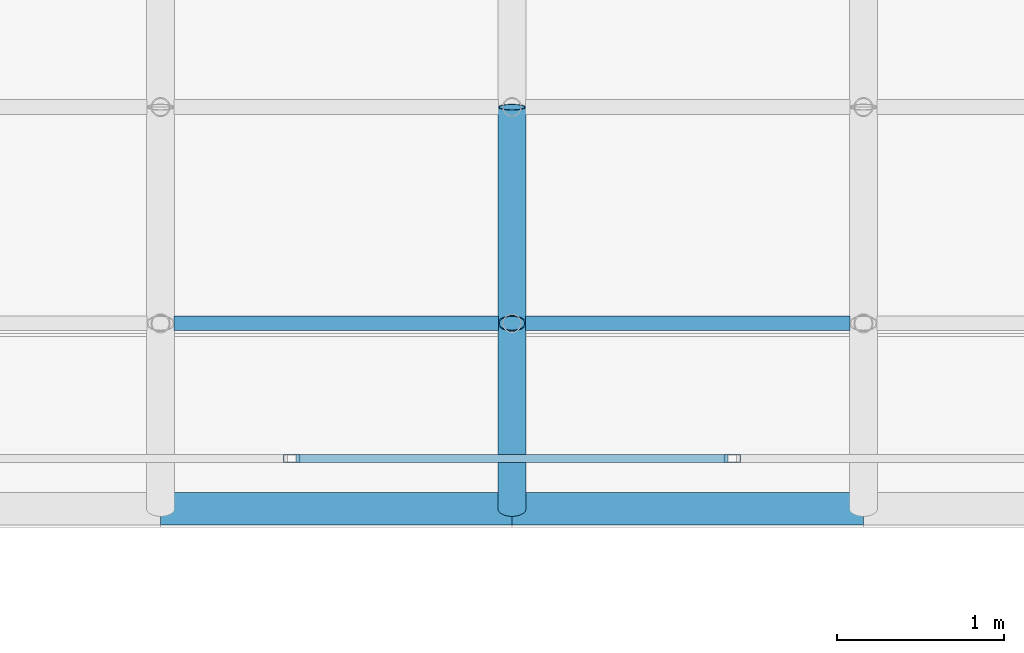
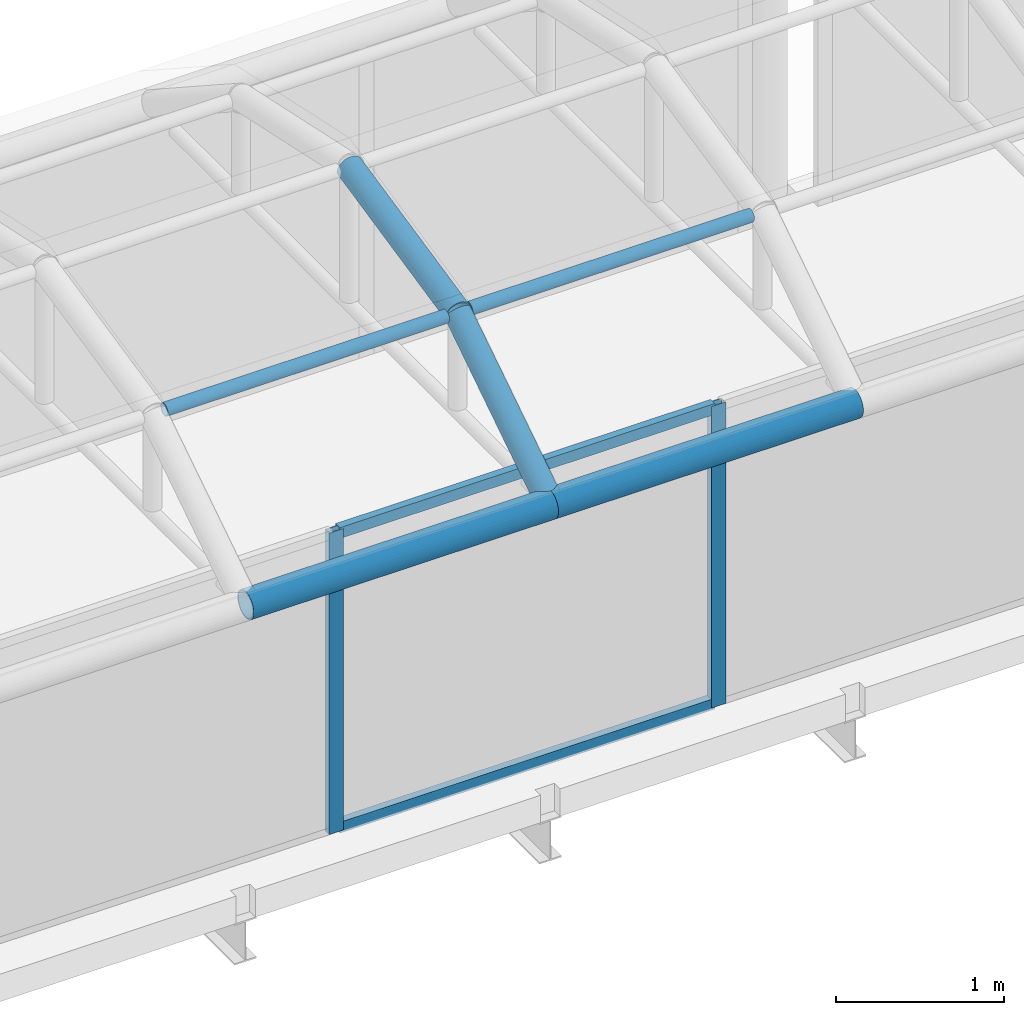
# One storey, part 93 of 167: 10 members, 1 element without a shape of its own.
"""IFC4 building model written with IfcOpenShell, lengths in metres."""

import ifcopenshell
import ifcopenshell.guid

model = None  # the IFC model being written
_history = None  # IfcOwnerHistory: only IFC2X3 demands one
_inside = {}  # id of a spatial element -> (the spatial element, [elements in it])
_under = {}  # id of a project, library or spatial element -> (it, [spatial elements below it])
_declared = {}  # id of a project -> (the project, [libraries it declares])
_typed = {}  # id of a type object -> (the type object, [elements of that type])
_made_of = {}  # id of a material, layer set ... -> (it, [elements and type objects made of it])


def new_model(schema):
    """Start an empty IFC model of exactly this schema.

    Asked for "IFC4X3", IfcOpenShell would pick the latest addendum, in which some entities
    have other attributes; the version numbers below select the first issue.
    IFC2X3 requires an IfcOwnerHistory on every rooted entity: one is made here for all.
    """
    global model, _history
    if schema == "IFC4X3":
        model = ifcopenshell.file(schema_version=(4, 3, 0, 0))
    else:
        model = ifcopenshell.file(schema=schema)
    _inside.clear()
    _under.clear()
    _declared.clear()
    _typed.clear()
    _made_of.clear()
    _history = None
    if model.schema == "IFC2X3":
        org = make("IfcOrganization", Name="unknown")
        user = make(
            "IfcPersonAndOrganization",
            ThePerson=make("IfcPerson", FamilyName="unknown"),
            TheOrganization=org,
        )
        app = make(
            "IfcApplication",
            ApplicationDeveloper=org,
            Version="unknown",
            ApplicationFullName="unknown",
            ApplicationIdentifier="unknown",
        )
        _history = make(
            "IfcOwnerHistory",
            OwningUser=user,
            OwningApplication=app,
            ChangeAction="ADDED",
            CreationDate=0,
        )
    return model


def make(cls, **values):
    """One entity of the class cls with the attributes given. An attribute that is None is left unset."""
    return model.create_entity(
        cls, **{name: value for name, value in values.items() if value is not None}
    )


def rooted(cls, **values):
    """An entity with a GlobalId (a new one), such as an element, a storey or a relation."""
    return make(cls, GlobalId=ifcopenshell.guid.new(), OwnerHistory=_history, **values)


def si_unit(unit_type, name, prefix=None):
    """IfcSIUnit, for example si_unit("LENGTHUNIT", "METRE", prefix="MILLI")."""
    return make("IfcSIUnit", UnitType=unit_type, Prefix=prefix, Name=name)


def assignment(units):
    """IfcUnitAssignment: the units of a project."""
    return None if units is None else make("IfcUnitAssignment", Units=units)


def point(xyz):
    """IfcCartesianPoint."""
    return None if xyz is None else make("IfcCartesianPoint", Coordinates=xyz)


def direction(xyz):
    """IfcDirection."""
    return None if xyz is None else make("IfcDirection", DirectionRatios=xyz)


def frame(location, z_axis=None, x_axis=None):
    """IfcAxis2Placement3D, a coordinate frame: its origin and axes. An axis left out is left unset."""
    return make(
        "IfcAxis2Placement3D",
        Location=point(location),
        Axis=direction(z_axis),
        RefDirection=direction(x_axis),
    )


def frame_2d(location, x_axis=None):
    """IfcAxis2Placement2D, a coordinate frame in the plane: its origin and x axis."""
    return make(
        "IfcAxis2Placement2D", Location=point(location), RefDirection=direction(x_axis)
    )


def origin():
    """The frame at (0, 0, 0) with its axes left unset."""
    return frame((0.0, 0.0, 0.0))


def origin_2d():
    """The frame at (0, 0) in the plane with its x axis left unset."""
    return frame_2d((0.0, 0.0))


def place(relative_to, where):
    """IfcLocalPlacement: puts the frame where relative to a parent placement (None: the world)."""
    return make(
        "IfcLocalPlacement", PlacementRelTo=relative_to, RelativePlacement=where
    )


def context(
    kind, dimensions, precision=None, world=None, true_north=None, identifier=None
):
    """IfcGeometricRepresentationContext, for example the 3D "Model" context."""
    return make(
        "IfcGeometricRepresentationContext",
        ContextIdentifier=identifier,
        ContextType=kind,
        CoordinateSpaceDimension=dimensions,
        Precision=precision,
        WorldCoordinateSystem=world,
        TrueNorth=true_north,
    )


def subcontext(parent, identifier, kind, view, scale=None):
    """IfcGeometricRepresentationSubContext, for example "Body" below "Model"."""
    return make(
        "IfcGeometricRepresentationSubContext",
        ContextIdentifier=identifier,
        ContextType=kind,
        ParentContext=parent,
        TargetScale=scale,
        TargetView=view,
    )


def project(units=None, contexts=None):
    """IfcProject with its units and contexts."""
    return rooted(
        "IfcProject",
        Name="project",
        RepresentationContexts=contexts,
        UnitsInContext=assignment(units),
    )


def spatial(cls, under=None, at=None, **own):
    """A site, building, storey or space (cls), placed at a placement, below another one or the project."""
    s = rooted(cls, ObjectPlacement=at, **own)
    if under is not None:
        _under.setdefault(under.id(), (under, []))[1].append(s)
    return s


def profile(cls, at=None, kind="AREA", **sizes):
    """A parametric profile (cls). Its sizes go by their IFC names, for example OverallWidth=200.0."""
    return make(cls, ProfileType=kind, Position=at, **sizes)


def hollow_rectangle(**sizes):
    """IfcRectangleHollowProfileDef."""
    return profile("IfcRectangleHollowProfileDef", **sizes)


def hollow_circle(**sizes):
    """IfcCircleHollowProfileDef."""
    return profile("IfcCircleHollowProfileDef", **sizes)


def extrude(swept, where, along, depth):
    """IfcExtrudedAreaSolid: the profile swept, set in the frame where, extruded along a direction by depth."""
    return make(
        "IfcExtrudedAreaSolid",
        SweptArea=swept,
        Position=where,
        ExtrudedDirection=direction(along),
        Depth=depth,
    )


def shape(context_of_items, identifier, shape_type, items):
    """IfcShapeRepresentation: the items that make up one representation, for example the "Body"."""
    return make(
        "IfcShapeRepresentation",
        ContextOfItems=context_of_items,
        RepresentationIdentifier=identifier,
        RepresentationType=shape_type,
        Items=items,
    )


def material(Name=None, Category=None):
    """IfcMaterial."""
    return make("IfcMaterial", Name=Name, Category=Category)


def material_profile(
    of_material, cross_section, Name=None, Category=None, Priority=None
):
    """IfcMaterialProfile: a cross section and its material."""
    return make(
        "IfcMaterialProfile",
        Name=Name,
        Material=of_material,
        Profile=cross_section,
        Priority=Priority,
        Category=Category,
    )


def profile_set(profiles, Name=None, composite=None):
    """IfcMaterialProfileSet."""
    return make(
        "IfcMaterialProfileSet",
        Name=Name,
        MaterialProfiles=profiles,
        CompositeProfile=composite,
    )


def made_of(thing, what):
    """Note that an element or type object is made of a material, layer set ...; save() writes the relation."""
    if what is not None:
        _made_of.setdefault(what.id(), (what, []))[1].append(thing)
    return thing


def type_object(cls, material=None, **own):
    """A type object (cls), such as IfcWallType, which elements share."""
    return made_of(rooted(cls, **own), material)


def element(
    cls,
    number,
    at=None,
    inside=None,
    cuts=None,
    type_object=None,
    material=None,
    context=None,
    identifier="Body",
    shape_type=None,
    held_by="IfcProductDefinitionShape",
    body=None,
    shapes=None,
    **own,
):
    """One element of the class cls, such as IfcWall. Its Tag is "e" and its number.

    at: its placement. inside: the storey or other place that contains it. cuts: it is an
    opening in that element (IfcRelVoidsElement). A single representation is given by context,
    identifier, shape_type and body (its items); several are given by shapes. held_by: the class
    of the entity that holds the representations. save() writes the other relations.
    """
    e = rooted(cls, Tag="e%d" % number, ObjectPlacement=at, **own)
    if body is not None:
        shapes = [shape(context, identifier, shape_type, body)]
    if shapes is not None:
        e.Representation = make(held_by, Representations=shapes)
    if inside is not None:
        _inside.setdefault(inside.id(), (inside, []))[1].append(e)
    if cuts is not None:
        rooted(
            "IfcRelVoidsElement", RelatingBuildingElement=cuts, RelatedOpeningElement=e
        )
    if type_object is not None:
        _typed.setdefault(type_object.id(), (type_object, []))[1].append(e)
    return made_of(e, material)


def aggregate(whole, parts):
    """IfcRelAggregates: a whole, such as a stair, and the parts it consists of."""
    return rooted("IfcRelAggregates", RelatingObject=whole, RelatedObjects=parts)


def save(model, path):
    """Write the relations noted so far, then the file.

    IfcRelAggregates (storeys below a building ...), IfcRelContainedInSpatialStructure (elements
    in a storey), IfcRelDefinesByType, IfcRelAssociatesMaterial and IfcRelDeclares: one each for
    every whole, place, type object, material and project.
    """
    for whole, parts in _under.values():
        aggregate(whole, parts)
    for where, things in _inside.values():
        rooted(
            "IfcRelContainedInSpatialStructure",
            RelatedElements=things,
            RelatingStructure=where,
        )
    for kind, things in _typed.values():
        rooted("IfcRelDefinesByType", RelatedObjects=things, RelatingType=kind)
    for what, things in _made_of.values():
        rooted("IfcRelAssociatesMaterial", RelatedObjects=things, RelatingMaterial=what)
    for by, libraries in _declared.values():
        rooted("IfcRelDeclares", RelatingContext=by, RelatedDefinitions=libraries)
    model.write(path)


model = new_model("IFC4")

# Units and contexts
model_context = context("Model", 3, precision=1e-05, world=origin(), true_north=direction((0.0, 1.0)))
body_context = subcontext(model_context, "Body", "Model", "MODEL_VIEW")
ifc_project = project(units=[si_unit("LENGTHUNIT", "METRE"), si_unit("AREAUNIT", "SQUARE_METRE"), si_unit("VOLUMEUNIT", "CUBIC_METRE"), si_unit("PLANEANGLEUNIT", "RADIAN"), si_unit("MASSUNIT", "GRAM", prefix="KILO")], contexts=[model_context])

# Site, building, storey
site_placement = place(None, origin())
site = spatial("IfcSite", under=ifc_project, at=site_placement, CompositionType="ELEMENT")
building_placement = place(site_placement, origin())
building = spatial("IfcBuilding", under=site, at=building_placement, Name="Catenary Quay Ferry Terminal", CompositionType="ELEMENT")
storey_placement = place(building_placement, frame((0.0, 0.0, 6.0)))
storey = spatial("IfcBuildingStorey", under=building, at=storey_placement, Name="L01", CompositionType="ELEMENT", Elevation=6.0)

# Curtain wall, members
ifc_material_1 = material(Name="Aluminium and glass", Category="aluminium")
curtain_wall_type = type_object("IfcCurtainWallType", Name="CWB", PredefinedType="NOTDEFINED", material=ifc_material_1)
curtain_wall_placement = place(storey_placement, origin())
curtain_wall = element("IfcCurtainWall", 1, at=curtain_wall_placement, inside=storey, type_object=curtain_wall_type, Name="BB2 curtain wall CW65", PredefinedType="NOTDEFINED")
ifc_material_2 = material(Name="Aluminium", Category="aluminium")
ifc_material_profile_1 = material_profile(ifc_material_2, hollow_rectangle(XDim=0.050048828125, YDim=0.10009765625, WallThickness=0.0048828125, at=origin_2d()), Name="MU1")
ifc_profile_set_1 = profile_set([ifc_material_profile_1], Name="Aluminium")
member_type_1 = type_object("IfcMemberType", Name="MU1", PredefinedType="MULLION", material=ifc_profile_set_1)
member_1_placement = place(storey_placement, frame((103.683349609375, 90.300048828125, 0.0), z_axis=(0.0, 0.0, 1.0), x_axis=(0.0, 1.0, 0.0)))
member_1 = element("IfcMember", 2, at=member_1_placement, type_object=member_type_1, Name="CW65 mullion 2", PredefinedType="MULLION", context=body_context, shape_type="SweptSolid", body=[
    extrude(hollow_rectangle(XDim=0.050048828125, YDim=0.10009765625, WallThickness=0.0048828125, at=origin_2d()), origin(), (0.0, 0.0, 1.0), 2.195068359375),
])
member_2_placement = place(storey_placement, frame((106.316650390625, 90.300048828125, 0.0), z_axis=(0.0, 0.0, 1.0), x_axis=(0.0, 1.0, 0.0)))
member_2 = element("IfcMember", 3, at=member_2_placement, type_object=member_type_1, Name="CW65 mullion 3", PredefinedType="MULLION", context=body_context, shape_type="SweptSolid", body=[
    extrude(hollow_rectangle(XDim=0.050048828125, YDim=0.10009765625, WallThickness=0.0048828125, at=origin_2d()), origin(), (0.0, 0.0, 1.0), 2.195068359375),
])

# Members
ifc_material_3 = material(Name="Steel S355", Category="steel")
ifc_material_profile_2 = material_profile(ifc_material_3, hollow_circle(Radius=0.04443359375, WallThickness=0.0048828125, at=origin_2d()), Name="CHS 88.9x5")
ifc_profile_set_2 = profile_set([ifc_material_profile_2], Name="Steel S355")
member_type_2 = type_object("IfcMemberType", Name="PU3 CHS 88.9x5", PredefinedType="PURLIN", material=ifc_profile_set_2)
for number, where, z_axis, x_axis, name in (
    (4, (102.97998046875, 91.10791015625, 2.821044921875), (1.0, 0.0, 0.0), (0.0, 1.0, 0.0), "Purlin PU-RB2-06-01"),
    (5, (105.080078125, 91.10791015625, 2.821044921875), (1.0, 0.0, 0.0), (0.0, 1.0, 0.0), "Purlin PU-RB2-07-01"),
):
    element("IfcMember", number, at=place(storey_placement, frame(where, z_axis=z_axis, x_axis=x_axis)), inside=storey, type_object=member_type_2, Name=name, PredefinedType="PURLIN", context=body_context, shape_type="SweptSolid", body=[
        extrude(hollow_circle(Radius=0.04443359375, WallThickness=0.0048828125, at=origin_2d()), origin(), (0.0, 0.0, 1.0), 1.93994140625),
    ])
ifc_material_4 = material(Name="Steel S355", Category="steel")
ifc_material_profile_3 = material_profile(ifc_material_4, hollow_circle(Radius=0.096923828125, WallThickness=0.010009765625, at=origin_2d()), Name="CHS 193.7x10")
ifc_profile_set_3 = profile_set([ifc_material_profile_3], Name="Steel S355")
member_type_3 = type_object("IfcMemberType", Name="TC2 CHS 193.7x10", PredefinedType="CHORD", material=ifc_profile_set_3)
for number, where, z_axis, x_axis, name in (
    (6, (102.89990234375, 90.0, 2.10009765625), (1.0, 0.0, 0.0), (0.0, 1.0, 0.0), "Bridge top chord BB2S-TC06"),
    (7, (105.0, 90.0, 2.10009765625), (1.0, 0.0, 0.0), (0.0, 1.0, 0.0), "Bridge top chord BB2S-TC07"),
):
    element("IfcMember", number, at=place(storey_placement, frame(where, z_axis=z_axis, x_axis=x_axis)), inside=storey, type_object=member_type_3, Name=name, PredefinedType="CHORD", context=body_context, shape_type="SweptSolid", body=[
        extrude(hollow_circle(Radius=0.096923828125, WallThickness=0.010009765625, at=origin_2d()), origin(), (0.0, 0.0, 1.0), 2.10009765625),
    ])

# Member
ifc_material_5 = material(Name="Aluminium", Category="aluminium")
ifc_material_profile_4 = material_profile(ifc_material_5, hollow_rectangle(XDim=0.050048828125, YDim=0.080078125, WallThickness=0.00390625, at=origin_2d()), Name="TR1")
ifc_profile_set_4 = profile_set([ifc_material_profile_4], Name="Aluminium")
member_type_4 = type_object("IfcMemberType", Name="TR1", PredefinedType="USERDEFINED", material=ifc_profile_set_4)
member_3_placement = place(storey_placement, frame((103.708251953125, 90.300048828125, 0.02490234375), z_axis=(1.0, 0.0, 0.0), x_axis=(0.0, 1.0, 0.0)))
member_3 = element("IfcMember", 8, at=member_3_placement, type_object=member_type_4, Name="CW65 transom 2.1", ObjectType="TRANSOM", PredefinedType="USERDEFINED", context=body_context, shape_type="SweptSolid", body=[
    extrude(hollow_rectangle(XDim=0.050048828125, YDim=0.080078125, WallThickness=0.00390625, at=origin_2d()), origin(), (0.0, 0.0, 1.0), 2.58349609375),
])

member_4_placement = place(storey_placement, frame((103.708251953125, 90.300048828125, 2.169921875), z_axis=(1.0, 0.0, 0.0), x_axis=(0.0, 1.0, 0.0)))
member_4 = element("IfcMember", 9, at=member_4_placement, type_object=member_type_4, Name="CW65 transom 2.2", ObjectType="TRANSOM", PredefinedType="USERDEFINED", context=body_context, shape_type="SweptSolid", body=[
    extrude(hollow_rectangle(XDim=0.050048828125, YDim=0.080078125, WallThickness=0.00390625, at=origin_2d()), origin(), (0.0, 0.0, 1.0), 2.58349609375),
])

aggregate(curtain_wall, [member_1, member_2, member_3, member_4])

# Members
ifc_material_6 = material(Name="Steel S355", Category="steel")
ifc_material_profile_5 = material_profile(ifc_material_6, hollow_circle(Radius=0.084228515625, WallThickness=0.008056640625, at=origin_2d()), Name="CHS 168.3x8")
ifc_profile_set_5 = profile_set([ifc_material_profile_5], Name="Steel S355")
member_type_5 = type_object("IfcMemberType", Name="VR4 CHS 168.3x8", PredefinedType="RAFTER", material=ifc_profile_set_5)
for number, where, z_axis, x_axis, name in (
    (10, (105.0, 90.0, 2.10009765625), (0.0, 0.838164997293, 0.545416755621), (-1.0, 0.0, 0.0), "rib RB2-07-01"),
    (11, (105.0, 91.10791015625, 2.821044921875), (0.0, 0.977460543774, 0.211118178672), (-1.0, 0.0, 0.0), "rib RB2-07-02"),
):
    element("IfcMember", number, at=place(storey_placement, frame(where, z_axis=z_axis, x_axis=x_axis)), inside=storey, type_object=member_type_5, Name=name, PredefinedType="RAFTER", context=body_context, shape_type="SweptSolid", body=[
        extrude(hollow_circle(Radius=0.084228515625, WallThickness=0.008056640625, at=origin_2d()), origin(), (0.0, 0.0, 1.0), 1.32177734375),
    ])

save(model, "model.ifc")
